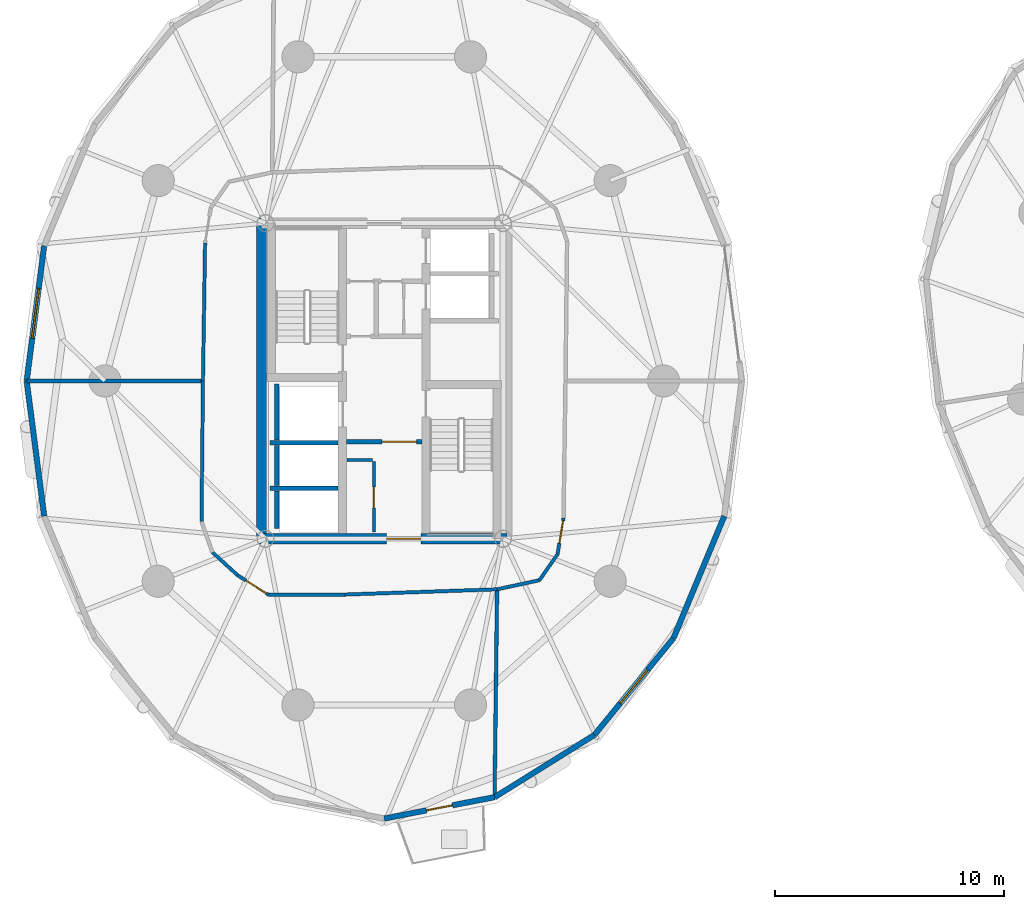
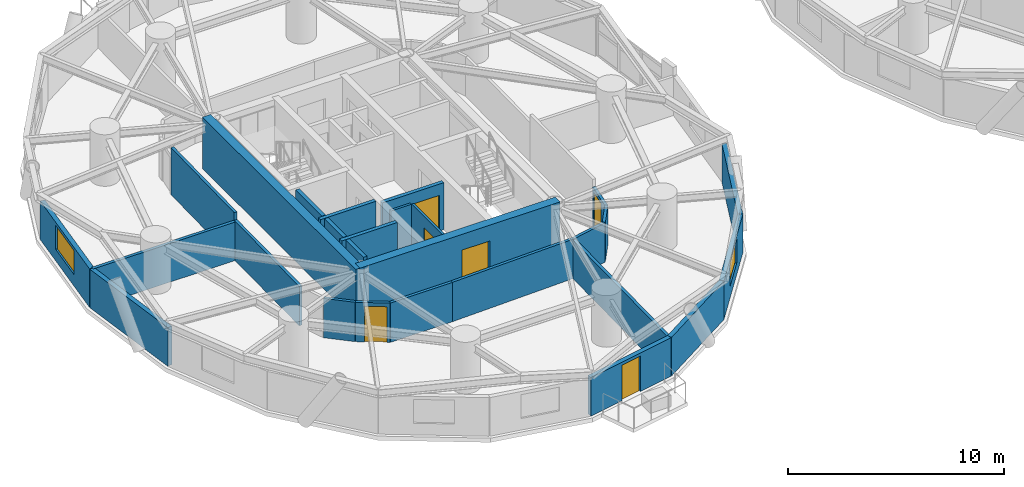
# One storey, part 9 of 17: 27 walls, 6 doors, 2 windows, 8 openings.
"""IFC4 building model written with IfcOpenShell, lengths in metres."""

from ifc_helpers import new_model, si_unit, direction, frame, frame_2d, origin, place, context, subcontext, project, spatial, rectangle, extrude, source, transform, mapped, material, layer, layer_set, type_object, element, fill, save


model = new_model("IFC4")

# Units and contexts
model_context = context("Model", 3, precision=1e-05, world=origin(), true_north=direction((0.0, 1.0)))
body_context = subcontext(model_context, "Body", "Model", "MODEL_VIEW")
ifc_project = project(units=[si_unit("LENGTHUNIT", "METRE"), si_unit("AREAUNIT", "SQUARE_METRE"), si_unit("VOLUMEUNIT", "CUBIC_METRE"), si_unit("PLANEANGLEUNIT", "RADIAN"), si_unit("MASSUNIT", "GRAM", prefix="KILO")], contexts=[model_context])

# Site, building, storey
site_placement = place(None, origin())
site = spatial("IfcSite", under=ifc_project, at=site_placement, CompositionType="ELEMENT")
building_placement = place(site_placement, origin())
building = spatial("IfcBuilding", under=site, at=building_placement, Name="Cununo Teusaquillo Station Towers", CompositionType="ELEMENT")
storey_placement = place(building_placement, frame((0.0, 0.0, 70.14990234375)))
storey = spatial("IfcBuildingStorey", under=building, at=storey_placement, Name="L21", CompositionType="ELEMENT", Elevation=70.14990234375)

# Walls
ifc_material_1 = material(Name="Concrete C50/60", Category="concrete")
ifc_layer_1 = layer(ifc_material_1, 0.199951171875)
ifc_layer_set_1 = layer_set([ifc_layer_1], Name="Concrete C50/60")
wall_type_1 = type_object("IfcWallType", Name="WL-CORE-200", PredefinedType="SHEAR", material=ifc_layer_set_1)
wall_1_placement = place(storey_placement, frame((11.52001953125, 21.800048828125, 0.0), z_axis=(0.0, 0.0, 1.0), x_axis=(1.0, 0.0, 0.0)))
element("IfcWall", 1, at=wall_1_placement, inside=storey, type_object=wall_type_1, Name="L21 Tower A Firefighting Lift Shaft South Shear Wall", PredefinedType="SHEAR", context=body_context, shape_type="SweptSolid", body=[
    extrude(rectangle(XDim=2.969970703125, YDim=0.199951171875, at=frame_2d((1.48486328125, 0.0))), origin(), (0.0, 0.0, 1.0), 2.91015625),
])
wall_2_placement = place(storey_placement, frame((11.820068359375, 21.919921875, 0.0), z_axis=(0.0, 0.0, 1.0), x_axis=(0.0, 1.0, 0.0)))
element("IfcWall", 2, at=wall_2_placement, inside=storey, type_object=wall_type_1, Name="L21 Tower A Firefighting Lift Shaft Rear Shear Wall", PredefinedType="SHEAR", context=body_context, shape_type="SweptSolid", body=[
    extrude(rectangle(XDim=2.440185546875, YDim=0.199951171875, at=frame_2d((1.22021484375, 0.0))), origin(), (0.0, 0.0, 1.0), 2.91015625),
])
wall_3_placement = place(storey_placement, frame((11.52001953125, 19.824951171875, 0.0), z_axis=(0.0, 0.0, 1.0), x_axis=(1.0, 0.0, 0.0)))
element("IfcWall", 3, at=wall_3_placement, inside=storey, type_object=wall_type_1, Name="L21 Tower A High-Rise Lift Hoistway Divider Shear Wall", PredefinedType="SHEAR", context=body_context, shape_type="SweptSolid", body=[
    extrude(rectangle(XDim=2.969970703125, YDim=0.199951171875, at=frame_2d((1.48486328125, 0.0))), origin(), (0.0, 0.0, 1.0), 2.91015625),
])
wall_4_placement = place(storey_placement, frame((11.820068359375, 19.945068359375, 0.0), z_axis=(0.0, 0.0, 1.0), x_axis=(0.0, 1.0, 0.0)))
element("IfcWall", 4, at=wall_4_placement, inside=storey, type_object=wall_type_1, Name="L21 Tower A High-Rise Lift 2 Shaft Rear Shear Wall", PredefinedType="SHEAR", context=body_context, shape_type="SweptSolid", body=[
    extrude(rectangle(XDim=1.73486328125, YDim=0.199951171875, at=frame_2d((0.867431640625, 0.0))), origin(), (0.0, 0.0, 1.0), 2.91015625),
])
wall_5_placement = place(storey_placement, frame((11.820068359375, 18.070068359375, 0.0), z_axis=(0.0, 0.0, 1.0), x_axis=(0.0, 1.0, 0.0)))
element("IfcWall", 5, at=wall_5_placement, inside=storey, type_object=wall_type_1, Name="L21 Tower A High-Rise Lift 1 Shaft Rear Shear Wall", PredefinedType="SHEAR", context=body_context, shape_type="SweptSolid", body=[
    extrude(rectangle(XDim=1.635009765625, YDim=0.199951171875, at=frame_2d((0.8173828125, 0.0))), origin(), (0.0, 0.0, 1.0), 2.91015625),
])
ifc_material_2 = material(Name="Concrete C60/75", Category="concrete")
ifc_layer_2 = layer(ifc_material_2, 0.449951171875)
ifc_layer_set_2 = layer_set([ifc_layer_2], Name="Concrete C60/75")
wall_type_2 = type_object("IfcWallType", Name="WL-CORE-450", PredefinedType="SHEAR", material=ifc_layer_set_2)
wall_6_placement = place(storey_placement, frame((11.14990234375, 17.39990234375, 0.0), z_axis=(0.0, 0.0, 1.0), x_axis=(0.0, 1.0, 0.0)))
element("IfcWall", 6, at=wall_6_placement, inside=storey, type_object=wall_type_2, Name="L21 Tower A Core Shear Wall W", PredefinedType="SHEAR", context=body_context, shape_type="SweptSolid", body=[
    extrude(rectangle(XDim=14.2001953125, YDim=0.449951171875, at=frame_2d((7.10009765625, 0.0))), origin(), (0.0, 0.0, 1.0), 2.91015625),
])

# Wall, opening, door
wall_7_placement = place(storey_placement, frame((11.14990234375, 17.625, 0.0), z_axis=(0.0, 0.0, 1.0), x_axis=(1.0, 0.0, 0.0)))
wall_7 = element("IfcWall", 7, at=wall_7_placement, inside=storey, type_object=wall_type_2, Name="L21 Tower A Core Shear Wall S", PredefinedType="SHEAR", context=body_context, shape_type="SweptSolid", body=[
    extrude(rectangle(XDim=10.7001953125, YDim=0.449951171875, at=frame_2d((5.35009765625, 0.0))), origin(), (0.0, 0.0, 1.0), 2.91015625),
])
shared_shape_1 = source(origin(), body_context, "Body", "SweptSolid", [
    extrude(rectangle(XDim=1.5, YDim=2.02001953125, at=frame_2d((0.75, 1.010009765625))), frame((0.0, 0.23486328125, 0.0), z_axis=(0.0, -1.0, 0.0), x_axis=(1.0, 0.0, 0.0)), (0.0, 0.0, 1.0), 0.469970703125),
])
opening_1_placement = place(wall_7_placement, frame((5.449951171875, 0.0, 0.0)))
opening_1 = element("IfcOpeningElement", 8, at=opening_1_placement, cuts=wall_7, Name="Opening D-LB1", PredefinedType="OPENING", context=body_context, shape_type="MappedRepresentation", body=[
    mapped(shared_shape_1, transform((0.0, 0.0, 0.0), x_axis=(1.0, 0.0, 0.0), y_axis=(0.0, 1.0, 0.0), z_axis=(0.0, 0.0, 1.0), scale=1.0)),
])
ifc_material_3 = material(Name="Galvanised fire-rated hollow steel door assembly", Category="steel")
door_type_1 = type_object("IfcDoorType", Name="DR-LOBBY-1500", OperationType="DOUBLE_DOOR_SINGLE_SWING", PredefinedType="DOOR", material=ifc_material_3)
shared_shape_2 = source(origin(), body_context, "Body", "SweptSolid", [
    extrude(rectangle(XDim=1.5, YDim=2.02001953125, at=frame_2d((0.75, 1.010009765625))), frame((0.0, 0.02490234375, 0.0), z_axis=(0.0, -1.0, 0.0), x_axis=(1.0, 0.0, 0.0)), (0.0, 0.0, 1.0), 0.050048828125),
])
door_1_placement = place(opening_1_placement, origin())
door_1 = element("IfcDoor", 9, at=door_1_placement, inside=storey, type_object=door_type_1, Name="L21 Tower A South Core Lift Lobby Door", OperationType="DOUBLE_DOOR_SINGLE_SWING", OverallHeight=2.02001953125, OverallWidth=1.5, PredefinedType="DOOR", context=body_context, shape_type="MappedRepresentation", body=[
    mapped(shared_shape_2, transform((0.0, 0.0, 0.0), x_axis=(1.0, 0.0, 0.0), y_axis=(0.0, 1.0, 0.0), z_axis=(0.0, 0.0, 1.0), scale=1.0)),
])
fill(opening_1, door_1)

# Wall, opening, window
ifc_material_4 = material(Name="Precast concrete C40/50", Category="concrete")
ifc_layer_3 = layer(ifc_material_4, 0.239990234375)
ifc_layer_set_3 = layer_set([ifc_layer_3], Name="Precast concrete C40/50")
wall_type_3 = type_object("IfcWallType", Name="WL-EXT-240", PredefinedType="SOLIDWALL", material=ifc_layer_set_3)
wall_8_placement = place(storey_placement, frame((0.9189453125, 24.5, 0.0), z_axis=(0.0, 0.0, 1.0), x_axis=(0.128351991996, 0.991728675672, 0.0)))
wall_8 = element("IfcWall", 10, at=wall_8_placement, inside=storey, type_object=wall_type_3, Name="L21 Tower A Exterior Facade Wall C09", PredefinedType="SOLIDWALL", context=body_context, shape_type="SweptSolid", body=[
    extrude(rectangle(XDim=5.942138671875, YDim=0.239990234375, at=frame_2d((2.97119140625, 0.0))), origin(), (0.0, 0.0, 1.0), 2.17919921875),
])
shared_shape_3 = source(origin(), body_context, "Body", "SweptSolid", [
    extrude(rectangle(XDim=2.199951171875, YDim=1.35009765625, at=frame_2d((1.10009765625, 0.675048828125))), frame((0.0, 0.1298828125, 0.0), z_axis=(0.0, -1.0, 0.0), x_axis=(1.0, 0.0, 0.0)), (0.0, 0.0, 1.0), 0.260009765625),
])
opening_2_placement = place(wall_8_placement, frame((1.87109375, 0.0, 0.64990234375)))
opening_2 = element("IfcOpeningElement", 11, at=opening_2_placement, cuts=wall_8, Name="Opening WN-01", PredefinedType="OPENING", context=body_context, shape_type="MappedRepresentation", body=[
    mapped(shared_shape_3, transform((0.0, 0.0, 0.0), x_axis=(1.0, 0.0, 0.0), y_axis=(0.0, 1.0, 0.0), z_axis=(0.0, 0.0, 1.0), scale=1.0)),
])
ifc_material_5 = material(Name="Ceramic-fritted dark low-E double glazing", Category="glass")
window_type_1 = type_object("IfcWindowType", Name="WIN-FRIT-2200", PartitioningType="DOUBLE_PANEL_VERTICAL", PredefinedType="WINDOW", material=ifc_material_5)
shared_shape_4 = source(origin(), body_context, "Body", "SweptSolid", [
    extrude(rectangle(XDim=2.199951171875, YDim=1.35009765625, at=frame_2d((1.10009765625, 0.675048828125))), frame((0.0, 0.030029296875, 0.0), z_axis=(0.0, -1.0, 0.0), x_axis=(1.0, 0.0, 0.0)), (0.0, 0.0, 1.0), 0.06005859375),
])
window_1_placement = place(opening_2_placement, origin())
window_1 = element("IfcWindow", 12, at=window_1_placement, inside=storey, type_object=window_type_1, Name="L21 Tower A Facade Window C09", OverallHeight=1.35009765625, OverallWidth=2.199951171875, PartitioningType="DOUBLE_PANEL_VERTICAL", PredefinedType="WINDOW", context=body_context, shape_type="MappedRepresentation", body=[
    mapped(shared_shape_4, transform((0.0, 0.0, 0.0), x_axis=(1.0, 0.0, 0.0), y_axis=(0.0, 1.0, 0.0), z_axis=(0.0, 0.0, 1.0), scale=1.0)),
])
fill(opening_2, window_1)

# Wall
wall_9_placement = place(storey_placement, frame((1.681640625, 18.60693359375, 0.0), z_axis=(0.0, 0.0, 1.0), x_axis=(-0.128351991996, 0.991728675672, 0.0)))
element("IfcWall", 13, at=wall_9_placement, inside=storey, type_object=wall_type_3, Name="L21 Tower A Exterior Facade Wall C10", PredefinedType="SOLIDWALL", context=body_context, shape_type="SweptSolid", body=[
    extrude(rectangle(XDim=5.942138671875, YDim=0.239990234375, at=frame_2d((2.97119140625, 0.0))), origin(), (0.0, 0.0, 1.0), 2.17919921875),
])

# Wall, opening, door
wall_10_placement = place(storey_placement, frame((21.314697265625, 6.36328125, 0.0), z_axis=(0.0, 0.0, 1.0), x_axis=(-0.981723785992, -0.190311344954, 0.0)))
wall_10 = element("IfcWall", 14, at=wall_10_placement, inside=storey, type_object=wall_type_3, Name="L21 Tower A Exterior Facade Wall C15", PredefinedType="SOLIDWALL", context=body_context, shape_type="SweptSolid", body=[
    extrude(rectangle(XDim=4.904296875, YDim=0.239990234375, at=frame_2d((2.4521484375, 0.0))), origin(), (0.0, 0.0, 1.0), 2.17919921875),
])
shared_shape_5 = source(origin(), body_context, "Body", "SweptSolid", [
    extrude(rectangle(XDim=1.14990234375, YDim=2.0048828125, at=frame_2d((0.574951171875, 1.00244140625))), frame((0.0, 0.1298828125, 0.0), z_axis=(0.0, -1.0, 0.0), x_axis=(1.0, 0.0, 0.0)), (0.0, 0.0, 1.0), 0.260009765625),
])
opening_3_placement = place(wall_10_placement, frame((1.876953125, 0.0, 0.0)))
opening_3 = element("IfcOpeningElement", 15, at=opening_3_placement, cuts=wall_10, Name="Opening ED-03", PredefinedType="OPENING", context=body_context, shape_type="MappedRepresentation", body=[
    mapped(shared_shape_5, transform((0.0, 0.0, 0.0), x_axis=(1.0, 0.0, 0.0), y_axis=(0.0, 1.0, 0.0), z_axis=(0.0, 0.0, 1.0), scale=1.0)),
])
ifc_material_6 = material(Name="Anodised dark bronze aluminium EN AW-6063-T6", Category="aluminium")
door_type_2 = type_object("IfcDoorType", Name="DR-EXT-BAL", OperationType="NOTDEFINED", PredefinedType="DOOR", material=ifc_material_6)
shared_shape_6 = source(origin(), body_context, "Body", "SweptSolid", [
    extrude(rectangle(XDim=1.14990234375, YDim=2.0048828125, at=frame_2d((0.574951171875, 1.00244140625))), frame((0.0, 0.02490234375, 0.0), z_axis=(0.0, -1.0, 0.0), x_axis=(1.0, 0.0, 0.0)), (0.0, 0.0, 1.0), 0.050048828125),
])
door_2_placement = place(opening_3_placement, origin())
door_2 = element("IfcDoor", 16, at=door_2_placement, inside=storey, type_object=door_type_2, Name="L21 Tower A Tree Balcony Door C15", OperationType="SINGLE_SWING_LEFT", OverallHeight=2.0048828125, OverallWidth=1.14990234375, PredefinedType="DOOR", context=body_context, shape_type="MappedRepresentation", body=[
    mapped(shared_shape_6, transform((0.0, 0.0, 0.0), x_axis=(1.0, 0.0, 0.0), y_axis=(0.0, 1.0, 0.0), z_axis=(0.0, 0.0, 1.0), scale=1.0)),
])
fill(opening_3, door_2)

# Wall
wall_11_placement = place(storey_placement, frame((25.658203125, 9.072021484375, 0.0), z_axis=(0.0, 0.0, 1.0), x_axis=(-0.848520380187, -0.529162701263, 0.0)))
element("IfcWall", 17, at=wall_11_placement, inside=storey, type_object=wall_type_3, Name="L21 Tower A Exterior Facade Wall C16", PredefinedType="SOLIDWALL", context=body_context, shape_type="SweptSolid", body=[
    extrude(rectangle(XDim=5.118896484375, YDim=0.239990234375, at=frame_2d((2.5595703125, 0.0))), origin(), (0.0, 0.0, 1.0), 2.17919921875),
])

# Wall, opening, window
wall_12_placement = place(storey_placement, frame((29.105224609375, 13.291015625, 0.0), z_axis=(0.0, 0.0, 1.0), x_axis=(-0.632700781152, -0.77439635945, 0.0)))
wall_12 = element("IfcWall", 18, at=wall_12_placement, inside=storey, type_object=wall_type_3, Name="L21 Tower A Exterior Facade Wall C17", PredefinedType="SOLIDWALL", context=body_context, shape_type="SweptSolid", body=[
    extrude(rectangle(XDim=5.447998046875, YDim=0.239990234375, at=frame_2d((2.72412109375, 0.0))), origin(), (0.0, 0.0, 1.0), 2.17919921875),
])
shared_shape_7 = source(origin(), body_context, "Body", "SweptSolid", [
    extrude(rectangle(XDim=1.89990234375, YDim=1.35009765625, at=frame_2d((0.949951171875, 0.675048828125))), frame((0.0, 0.1298828125, 0.0), z_axis=(0.0, -1.0, 0.0), x_axis=(1.0, 0.0, 0.0)), (0.0, 0.0, 1.0), 0.260009765625),
])
opening_4_placement = place(wall_12_placement, frame((1.77392578125, 0.0, 0.64990234375)))
opening_4 = element("IfcOpeningElement", 19, at=opening_4_placement, cuts=wall_12, Name="Opening WN-02", PredefinedType="OPENING", context=body_context, shape_type="MappedRepresentation", body=[
    mapped(shared_shape_7, transform((0.0, 0.0, 0.0), x_axis=(1.0, 0.0, 0.0), y_axis=(0.0, 1.0, 0.0), z_axis=(0.0, 0.0, 1.0), scale=1.0)),
])
ifc_material_7 = material(Name="Operable acoustic tinted low-E double glazing", Category="glass")
window_type_2 = type_object("IfcWindowType", Name="WIN-OPER-1900", PartitioningType="DOUBLE_PANEL_VERTICAL", PredefinedType="WINDOW", material=ifc_material_7)
shared_shape_8 = source(origin(), body_context, "Body", "SweptSolid", [
    extrude(rectangle(XDim=1.89990234375, YDim=1.35009765625, at=frame_2d((0.949951171875, 0.675048828125))), frame((0.0, 0.030029296875, 0.0), z_axis=(0.0, -1.0, 0.0), x_axis=(1.0, 0.0, 0.0)), (0.0, 0.0, 1.0), 0.06005859375),
])
window_2_placement = place(opening_4_placement, origin())
window_2 = element("IfcWindow", 20, at=window_2_placement, inside=storey, type_object=window_type_2, Name="L21 Tower A Facade Window C17", OverallHeight=1.35009765625, OverallWidth=1.89990234375, PartitioningType="DOUBLE_PANEL_VERTICAL", PredefinedType="WINDOW", context=body_context, shape_type="MappedRepresentation", body=[
    mapped(shared_shape_8, transform((0.0, 0.0, 0.0), x_axis=(1.0, 0.0, 0.0), y_axis=(0.0, 1.0, 0.0), z_axis=(0.0, 0.0, 1.0), scale=1.0)),
])
fill(opening_4, window_2)

# Wall
wall_13_placement = place(storey_placement, frame((31.318359375, 18.60693359375, 0.0), z_axis=(0.0, 0.0, 1.0), x_axis=(-0.384344417632, -0.923189779317, 0.0)))
element("IfcWall", 21, at=wall_13_placement, inside=storey, type_object=wall_type_3, Name="L21 Tower A Exterior Facade Wall C18", PredefinedType="SOLIDWALL", context=body_context, shape_type="SweptSolid", body=[
    extrude(rectangle(XDim=5.75830078125, YDim=0.239990234375, at=frame_2d((2.879150390625, 0.0))), origin(), (0.0, 0.0, 1.0), 2.17919921875),
])

# Wall, opening, door
ifc_material_8 = material(Name="Fire-rated gypsum plasterboard partition assembly", Category="gypsum")
ifc_layer_4 = layer(ifc_material_8, 0.125)
ifc_layer_set_4 = layer_set([ifc_layer_4], Name="Fire-rated gypsum plasterboard partition assembly")
wall_type_4 = type_object("IfcWallType", Name="WL-PART-125", PredefinedType="PARTITIONING", material=ifc_layer_set_4)
wall_14_placement = place(storey_placement, frame((16.050048828125, 17.919921875, 0.0), z_axis=(0.0, 0.0, 1.0), x_axis=(0.0, 1.0, 0.0)))
wall_14 = element("IfcWall", 22, at=wall_14_placement, inside=storey, type_object=wall_type_4, Name="L21 Tower A South-West Tall Store East Wall", PredefinedType="PARTITIONING", context=body_context, shape_type="SweptSolid", body=[
    extrude(rectangle(XDim=3.080078125, YDim=0.125, at=frame_2d((1.5400390625, 0.0))), origin(), (0.0, 0.0, 1.0), 2.655029296875),
])
shared_shape_9 = source(origin(), body_context, "Body", "SweptSolid", [
    extrude(rectangle(XDim=0.89990234375, YDim=2.0048828125, at=frame_2d((0.449951171875, 1.00244140625))), frame((0.0, 0.072509765625, 0.0), z_axis=(0.0, -1.0, 0.0), x_axis=(1.0, 0.0, 0.0)), (0.0, 0.0, 1.0), 0.14501953125),
])
opening_5_placement = place(wall_14_placement, frame((1.050048828125, 0.0, 0.0)))
opening_5 = element("IfcOpeningElement", 23, at=opening_5_placement, cuts=wall_14, Name="Opening D-SR1", PredefinedType="OPENING", context=body_context, shape_type="MappedRepresentation", body=[
    mapped(shared_shape_9, transform((0.0, 0.0, 0.0), x_axis=(1.0, 0.0, 0.0), y_axis=(0.0, 1.0, 0.0), z_axis=(0.0, 0.0, 1.0), scale=1.0)),
])
ifc_material_9 = material(Name="Galvanised fire-rated hollow steel door assembly", Category="steel")
door_type_3 = type_object("IfcDoorType", Name="DR-STORE-900", OperationType="NOTDEFINED", PredefinedType="DOOR", material=ifc_material_9)
shared_shape_10 = source(origin(), body_context, "Body", "SweptSolid", [
    extrude(rectangle(XDim=0.89990234375, YDim=2.0048828125, at=frame_2d((0.449951171875, 1.00244140625))), frame((0.0, 0.02490234375, 0.0), z_axis=(0.0, -1.0, 0.0), x_axis=(1.0, 0.0, 0.0)), (0.0, 0.0, 1.0), 0.050048828125),
])
door_3_placement = place(opening_5_placement, origin())
door_3 = element("IfcDoor", 24, at=door_3_placement, inside=storey, type_object=door_type_3, Name="L21 Tower A South Cleaners Store Door", OperationType="SINGLE_SWING_LEFT", OverallHeight=2.0048828125, OverallWidth=0.89990234375, PredefinedType="DOOR", context=body_context, shape_type="MappedRepresentation", body=[
    mapped(shared_shape_10, transform((0.0, 0.0, 0.0), x_axis=(1.0, 0.0, 0.0), y_axis=(0.0, 1.0, 0.0), z_axis=(0.0, 0.0, 1.0), scale=1.0)),
])
fill(opening_5, door_3)

# Walls
wall_15_placement = place(storey_placement, frame((14.8798828125, 21.050048828125, 0.0), z_axis=(0.0, 0.0, 1.0), x_axis=(1.0, 0.0, 0.0)))
element("IfcWall", 25, at=wall_15_placement, inside=storey, type_object=wall_type_4, Name="L21 Tower A South-West Tall Store North Wall", PredefinedType="PARTITIONING", context=body_context, shape_type="SweptSolid", body=[
    extrude(rectangle(XDim=1.10009765625, YDim=0.125, at=frame_2d((0.550048828125, 0.0))), origin(), (0.0, 0.0, 1.0), 2.655029296875),
])
ifc_material_10 = material(Name="Fire-rated gypsum plasterboard partition assembly", Category="gypsum")
ifc_layer_5 = layer(ifc_material_10, 0.14990234375)
ifc_layer_set_5 = layer_set([ifc_layer_5], Name="Fire-rated gypsum plasterboard partition assembly")
wall_type_5 = type_object("IfcWallType", Name="WL-PART-150", PredefinedType="PARTITIONING", material=ifc_layer_set_5)
wall_16_placement = place(storey_placement, frame((8.692626953125, 30.51171875, 0.0), z_axis=(0.0, 0.0, 1.0), x_axis=(-0.015389665197, -0.99988157209, 0.0)))
element("IfcWall", 26, at=wall_16_placement, inside=storey, type_object=wall_type_5, Name="L21 Tower A Corridor Ring Wall C09", PredefinedType="PARTITIONING", context=body_context, shape_type="SweptSolid", body=[
    extrude(rectangle(XDim=6.012451171875, YDim=0.14990234375, at=frame_2d((3.00634765625, 0.0))), origin(), (0.0, 0.0, 1.0), 2.655029296875),
])
wall_17_placement = place(storey_placement, frame((8.60009765625, 24.5, 0.0), z_axis=(0.0, 0.0, 1.0), x_axis=(-0.010076760723, -0.999949228158, 0.0)))
element("IfcWall", 27, at=wall_17_placement, inside=storey, type_object=wall_type_5, Name="L21 Tower A Corridor Ring Wall C10", PredefinedType="PARTITIONING", context=body_context, shape_type="SweptSolid", body=[
    extrude(rectangle(XDim=6.129638671875, YDim=0.14990234375, at=frame_2d((3.06494140625, 0.0))), origin(), (0.0, 0.0, 1.0), 2.22509765625),
])
wall_18_placement = place(storey_placement, frame((9.01025390625, 17.034423828125, 0.0), z_axis=(0.0, 0.0, 1.0), x_axis=(0.739733009791, -0.672900493554, 0.0)))
element("IfcWall", 28, at=wall_18_placement, inside=storey, type_object=wall_type_5, Name="L21 Tower A Corridor Ring Wall C12", PredefinedType="PARTITIONING", context=body_context, shape_type="SweptSolid", body=[
    extrude(rectangle(XDim=1.494140625, YDim=0.14990234375, at=frame_2d((0.7470703125, 0.0))), origin(), (0.0, 0.0, 1.0), 2.22509765625),
])

# Wall, opening, door
wall_19_placement = place(storey_placement, frame((10.115478515625, 16.029052734375, 0.0), z_axis=(0.0, 0.0, 1.0), x_axis=(0.844897677802, -0.534927952201, 0.0)))
wall_19 = element("IfcWall", 29, at=wall_19_placement, inside=storey, type_object=wall_type_5, Name="L21 Tower A Corridor Ring Wall C13", PredefinedType="PARTITIONING", context=body_context, shape_type="SweptSolid", body=[
    extrude(rectangle(XDim=1.591064453125, YDim=0.14990234375, at=frame_2d((0.79541015625, 0.0))), origin(), (0.0, 0.0, 1.0), 2.22509765625),
])
shared_shape_11 = source(origin(), body_context, "Body", "SweptSolid", [
    extrude(rectangle(XDim=1.050048828125, YDim=2.014892578125, at=frame_2d((0.52490234375, 1.00732421875))), frame((0.0, 0.0849609375, 0.0), z_axis=(0.0, -1.0, 0.0), x_axis=(1.0, 0.0, 0.0)), (0.0, 0.0, 1.0), 0.169921875),
])
opening_6_placement = place(wall_19_placement, frame((0.421142578125, 0.0, 0.0)))
opening_6 = element("IfcOpeningElement", 30, at=opening_6_placement, cuts=wall_19, Name="Opening D-SU1", PredefinedType="OPENING", context=body_context, shape_type="MappedRepresentation", body=[
    mapped(shared_shape_11, transform((0.0, 0.0, 0.0), x_axis=(1.0, 0.0, 0.0), y_axis=(0.0, 1.0, 0.0), z_axis=(0.0, 0.0, 1.0), scale=1.0)),
])
ifc_material_11 = material(Name="Acoustic solid-core hardwood leaf assembly", Category="wood")
door_type_4 = type_object("IfcDoorType", Name="DR-SUITE-1050", OperationType="NOTDEFINED", PredefinedType="DOOR", material=ifc_material_11)
shared_shape_12 = source(origin(), body_context, "Body", "SweptSolid", [
    extrude(rectangle(XDim=1.050048828125, YDim=2.014892578125, at=frame_2d((0.52490234375, 1.00732421875))), frame((0.0, 0.02490234375, 0.0), z_axis=(0.0, -1.0, 0.0), x_axis=(1.0, 0.0, 0.0)), (0.0, 0.0, 1.0), 0.050048828125),
])
door_4_placement = place(opening_6_placement, origin())
door_4 = element("IfcDoor", 31, at=door_4_placement, inside=storey, type_object=door_type_4, Name="L21 Tower A South Client Reception & Boardroom Lounge Entrance Door", OperationType="SINGLE_SWING_RIGHT", OverallHeight=2.014892578125, OverallWidth=1.050048828125, PredefinedType="DOOR", context=body_context, shape_type="MappedRepresentation", body=[
    mapped(shared_shape_12, transform((0.0, 0.0, 0.0), x_axis=(1.0, 0.0, 0.0), y_axis=(0.0, 1.0, 0.0), z_axis=(0.0, 0.0, 1.0), scale=1.0)),
])
fill(opening_6, door_4)

# Walls
wall_20_placement = place(storey_placement, frame((11.459716796875, 15.177978515625, 0.0), z_axis=(0.0, 0.0, 1.0), x_axis=(0.999992694689, 0.003822377251, 0.0)))
element("IfcWall", 32, at=wall_20_placement, inside=storey, type_object=wall_type_5, Name="L21 Tower A Corridor Ring Wall C14", PredefinedType="PARTITIONING", context=body_context, shape_type="SweptSolid", body=[
    extrude(rectangle(XDim=3.3212890625, YDim=0.14990234375, at=frame_2d((1.66064453125, 0.0))), origin(), (0.0, 0.0, 1.0), 2.22509765625),
])
wall_21_placement = place(storey_placement, frame((14.781005859375, 15.190673828125, 0.0), z_axis=(0.0, 0.0, 1.0), x_axis=(0.999412963972, 0.034259705842, 0.0)))
element("IfcWall", 33, at=wall_21_placement, inside=storey, type_object=wall_type_5, Name="L21 Tower A Corridor Ring Wall C15", PredefinedType="PARTITIONING", context=body_context, shape_type="SweptSolid", body=[
    extrude(rectangle(XDim=6.6416015625, YDim=0.14990234375, at=frame_2d((3.32080078125, 0.0))), origin(), (0.0, 0.0, 1.0), 2.22509765625),
])
wall_22_placement = place(storey_placement, frame((21.418701171875, 15.418212890625, 0.0), z_axis=(0.0, 0.0, 1.0), x_axis=(0.977540384091, 0.210748184977, 0.0)))
element("IfcWall", 34, at=wall_22_placement, inside=storey, type_object=wall_type_5, Name="L21 Tower A Corridor Ring Wall C16", PredefinedType="PARTITIONING", context=body_context, shape_type="SweptSolid", body=[
    extrude(rectangle(XDim=1.88720703125, YDim=0.14990234375, at=frame_2d((0.943603515625, 0.0))), origin(), (0.0, 0.0, 1.0), 2.22509765625),
])
wall_23_placement = place(storey_placement, frame((23.263427734375, 15.81591796875, 0.0), z_axis=(0.0, 0.0, 1.0), x_axis=(0.572652947117, 0.819797903241, 0.0)))
element("IfcWall", 35, at=wall_23_placement, inside=storey, type_object=wall_type_5, Name="L21 Tower A Corridor Ring Wall C17", PredefinedType="PARTITIONING", context=body_context, shape_type="SweptSolid", body=[
    extrude(rectangle(XDim=1.376953125, YDim=0.14990234375, at=frame_2d((0.6884765625, 0.0))), origin(), (0.0, 0.0, 1.0), 2.22509765625),
])

# Wall, opening, door
wall_24_placement = place(storey_placement, frame((24.052001953125, 16.94482421875, 0.0), z_axis=(0.0, 0.0, 1.0), x_axis=(0.162869842843, 0.986647563364, 0.0)))
wall_24 = element("IfcWall", 36, at=wall_24_placement, inside=storey, type_object=wall_type_5, Name="L21 Tower A Corridor Ring Wall C18", PredefinedType="PARTITIONING", context=body_context, shape_type="SweptSolid", body=[
    extrude(rectangle(XDim=1.60546875, YDim=0.14990234375, at=frame_2d((0.802734375, 0.0))), origin(), (0.0, 0.0, 1.0), 2.22509765625),
])
shared_shape_13 = source(origin(), body_context, "Body", "SweptSolid", [
    extrude(rectangle(XDim=1.0, YDim=2.014892578125, at=frame_2d((0.5, 1.00732421875))), frame((0.0, 0.0849609375, 0.0), z_axis=(0.0, -1.0, 0.0), x_axis=(1.0, 0.0, 0.0)), (0.0, 0.0, 1.0), 0.169921875),
])
opening_7_placement = place(wall_24_placement, frame((0.4853515625, 0.0, 0.0)))
opening_7 = element("IfcOpeningElement", 37, at=opening_7_placement, cuts=wall_24, Name="Opening D-AC1", PredefinedType="OPENING", context=body_context, shape_type="MappedRepresentation", body=[
    mapped(shared_shape_13, transform((0.0, 0.0, 0.0), x_axis=(1.0, 0.0, 0.0), y_axis=(0.0, 1.0, 0.0), z_axis=(0.0, 0.0, 1.0), scale=1.0)),
])
ifc_material_12 = material(Name="Acoustic solid-core hardwood leaf assembly", Category="wood")
door_type_5 = type_object("IfcDoorType", Name="DR-ACC-1000", OperationType="NOTDEFINED", PredefinedType="DOOR", material=ifc_material_12)
shared_shape_14 = source(origin(), body_context, "Body", "SweptSolid", [
    extrude(rectangle(XDim=1.0, YDim=2.014892578125, at=frame_2d((0.5, 1.00732421875))), frame((0.0, 0.02490234375, 0.0), z_axis=(0.0, -1.0, 0.0), x_axis=(1.0, 0.0, 0.0)), (0.0, 0.0, 1.0), 0.050048828125),
])
door_5_placement = place(opening_7_placement, origin())
door_5 = element("IfcDoor", 38, at=door_5_placement, inside=storey, type_object=door_type_5, Name="L21 Tower A Public Accessible Restroom WC Entrance Door", OperationType="SINGLE_SWING_LEFT", OverallHeight=2.014892578125, OverallWidth=1.0, PredefinedType="DOOR", context=body_context, shape_type="MappedRepresentation", body=[
    mapped(shared_shape_14, transform((0.0, 0.0, 0.0), x_axis=(1.0, 0.0, 0.0), y_axis=(0.0, 1.0, 0.0), z_axis=(0.0, 0.0, 1.0), scale=1.0)),
])
fill(opening_7, door_5)

# Walls
ifc_material_13 = material(Name="Fire-rated gypsum plasterboard partition assembly", Category="gypsum")
ifc_layer_6 = layer(ifc_material_13, 0.159912109375)
ifc_layer_set_6 = layer_set([ifc_layer_6], Name="Fire-rated gypsum plasterboard partition assembly")
wall_type_6 = type_object("IfcWallType", Name="WL-PART-160", PredefinedType="PARTITIONING", material=ifc_layer_set_6)
wall_25_placement = place(storey_placement, frame((8.60009765625, 24.5, 0.0), z_axis=(0.0, 0.0, 1.0), x_axis=(-1.0, 0.0, 0.0)))
element("IfcWall", 39, at=wall_25_placement, inside=storey, type_object=wall_type_6, Name="L21 Tower A Radial Suite Partition R03", PredefinedType="PARTITIONING", context=body_context, shape_type="SweptSolid", body=[
    extrude(rectangle(XDim=7.6611328125, YDim=0.159912109375, at=frame_2d((3.83056640625, 0.0))), origin(), (0.0, 0.0, 1.0), 2.17919921875),
])
wall_26_placement = place(storey_placement, frame((21.418701171875, 15.418212890625, 0.0), z_axis=(0.0, 0.0, 1.0), x_axis=(-0.012184661849, -0.999925764252, 0.0)))
element("IfcWall", 40, at=wall_26_placement, inside=storey, type_object=wall_type_6, Name="L21 Tower A Radial Suite Partition R04", PredefinedType="PARTITIONING", context=body_context, shape_type="SweptSolid", body=[
    extrude(rectangle(XDim=9.03662109375, YDim=0.159912109375, at=frame_2d((4.518310546875, 0.0))), origin(), (0.0, 0.0, 1.0), 2.17919921875),
])

# Wall, opening, door
ifc_material_14 = material(Name="Fire-rated gypsum plasterboard partition assembly", Category="gypsum")
ifc_layer_7 = layer(ifc_material_14, 0.199951171875)
ifc_layer_set_7 = layer_set([ifc_layer_7], Name="Fire-rated gypsum plasterboard partition assembly")
wall_type_7 = type_object("IfcWallType", Name="WL-PART-200", PredefinedType="PARTITIONING", material=ifc_layer_set_7)
wall_27_placement = place(storey_placement, frame((14.860107421875, 21.85009765625, 0.0), z_axis=(0.0, 0.0, 1.0), x_axis=(1.0, 0.0, 0.0)))
wall_27 = element("IfcWall", 41, at=wall_27_placement, inside=storey, type_object=wall_type_7, Name="L21 Tower A Firefighting Lift Lobby South Fire Wall", PredefinedType="PARTITIONING", context=body_context, shape_type="SweptSolid", body=[
    extrude(rectangle(XDim=3.27978515625, YDim=0.199951171875, at=frame_2d((1.639892578125, 0.0))), origin(), (0.0, 0.0, 1.0), 2.655029296875),
])
shared_shape_15 = source(origin(), body_context, "Body", "SweptSolid", [
    extrude(rectangle(XDim=1.5, YDim=2.02001953125, at=frame_2d((0.75, 1.010009765625))), frame((0.0, 0.10986328125, 0.0), z_axis=(0.0, -1.0, 0.0), x_axis=(1.0, 0.0, 0.0)), (0.0, 0.0, 1.0), 0.219970703125),
])
opening_8_placement = place(wall_27_placement, frame((1.550048828125, 0.0, 0.0)))
opening_8 = element("IfcOpeningElement", 42, at=opening_8_placement, cuts=wall_27, Name="Opening D-LB1", PredefinedType="OPENING", context=body_context, shape_type="MappedRepresentation", body=[
    mapped(shared_shape_15, transform((0.0, 0.0, 0.0), x_axis=(1.0, 0.0, 0.0), y_axis=(0.0, 1.0, 0.0), z_axis=(0.0, 0.0, 1.0), scale=1.0)),
])
door_6_placement = place(opening_8_placement, origin())
door_6 = element("IfcDoor", 43, at=door_6_placement, inside=storey, type_object=door_type_1, Name="L21 Tower A Firefighting Lift Lobby South Fire Door", OperationType="DOUBLE_DOOR_SINGLE_SWING", OverallHeight=2.02001953125, OverallWidth=1.5, PredefinedType="DOOR", context=body_context, shape_type="MappedRepresentation", body=[
    mapped(shared_shape_2, transform((0.0, 0.0, 0.0), x_axis=(1.0, 0.0, 0.0), y_axis=(0.0, 1.0, 0.0), z_axis=(0.0, 0.0, 1.0), scale=1.0)),
])
fill(opening_8, door_6)

save(model, "model.ifc")
